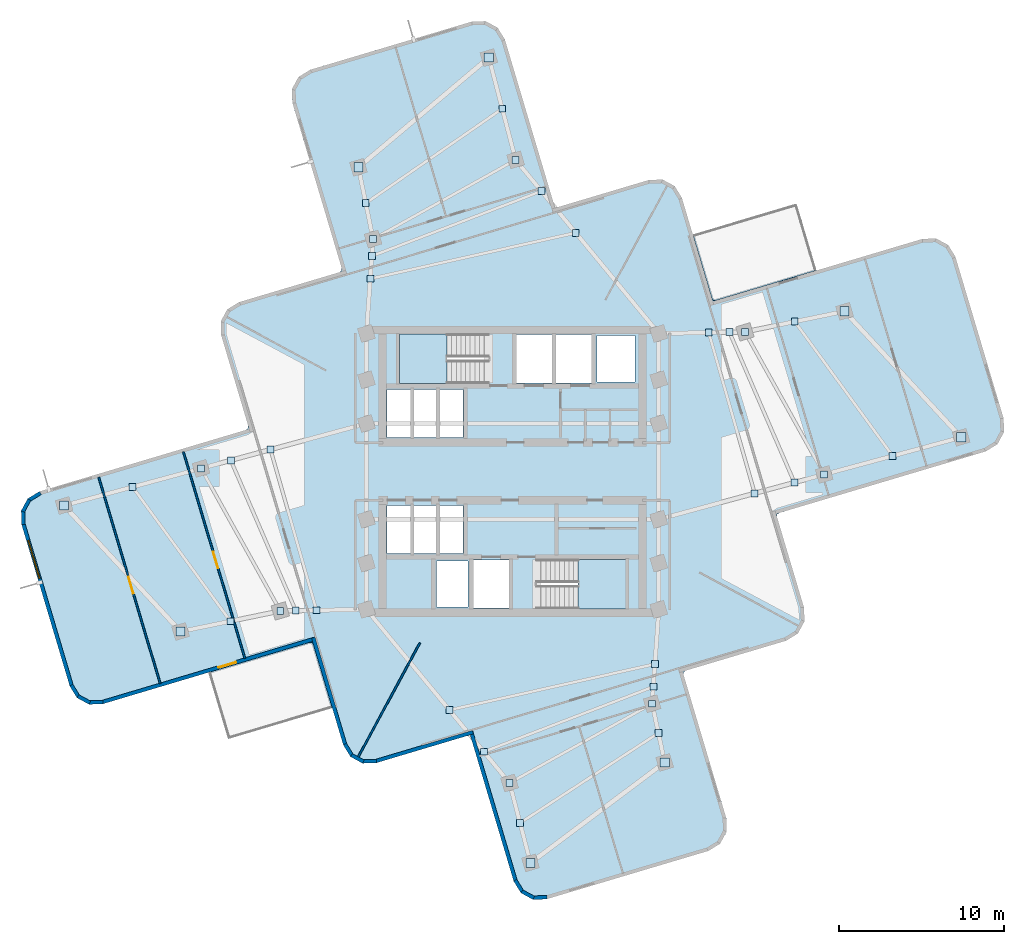
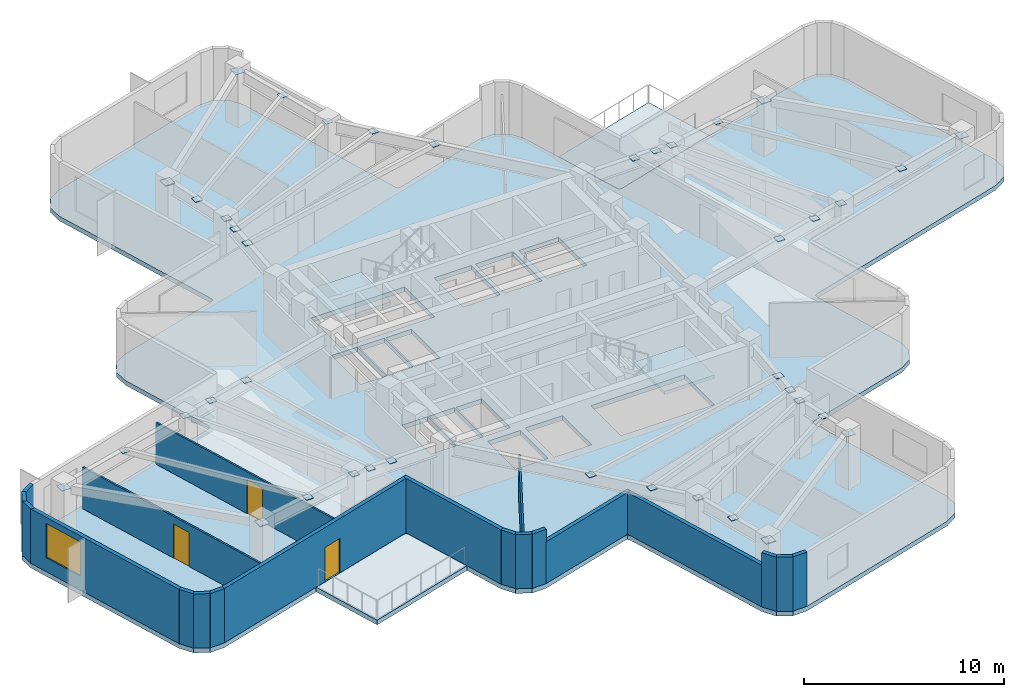
# One storey, part 2 of 8: 40 plates, 20 walls, 5 slabs, 3 doors, 1 window, 4 openings, 2 elements without a shape of their own.
"""IFC4 building model written with IfcOpenShell, lengths in metres."""

import ifcopenshell
import ifcopenshell.guid

model = None  # the IFC model being written
_history = None  # IfcOwnerHistory: only IFC2X3 demands one
_inside = {}  # id of a spatial element -> (the spatial element, [elements in it])
_under = {}  # id of a project, library or spatial element -> (it, [spatial elements below it])
_declared = {}  # id of a project -> (the project, [libraries it declares])
_typed = {}  # id of a type object -> (the type object, [elements of that type])
_made_of = {}  # id of a material, layer set ... -> (it, [elements and type objects made of it])


def new_model(schema):
    """Start an empty IFC model of exactly this schema.

    Asked for "IFC4X3", IfcOpenShell would pick the latest addendum, in which some entities
    have other attributes; the version numbers below select the first issue.
    IFC2X3 requires an IfcOwnerHistory on every rooted entity: one is made here for all.
    """
    global model, _history
    if schema == "IFC4X3":
        model = ifcopenshell.file(schema_version=(4, 3, 0, 0))
    else:
        model = ifcopenshell.file(schema=schema)
    _inside.clear()
    _under.clear()
    _declared.clear()
    _typed.clear()
    _made_of.clear()
    _history = None
    if model.schema == "IFC2X3":
        org = make("IfcOrganization", Name="unknown")
        user = make(
            "IfcPersonAndOrganization",
            ThePerson=make("IfcPerson", FamilyName="unknown"),
            TheOrganization=org,
        )
        app = make(
            "IfcApplication",
            ApplicationDeveloper=org,
            Version="unknown",
            ApplicationFullName="unknown",
            ApplicationIdentifier="unknown",
        )
        _history = make(
            "IfcOwnerHistory",
            OwningUser=user,
            OwningApplication=app,
            ChangeAction="ADDED",
            CreationDate=0,
        )
    return model


def make(cls, **values):
    """One entity of the class cls with the attributes given. An attribute that is None is left unset."""
    return model.create_entity(
        cls, **{name: value for name, value in values.items() if value is not None}
    )


def rooted(cls, **values):
    """An entity with a GlobalId (a new one), such as an element, a storey or a relation."""
    return make(cls, GlobalId=ifcopenshell.guid.new(), OwnerHistory=_history, **values)


def si_unit(unit_type, name, prefix=None):
    """IfcSIUnit, for example si_unit("LENGTHUNIT", "METRE", prefix="MILLI")."""
    return make("IfcSIUnit", UnitType=unit_type, Prefix=prefix, Name=name)


def assignment(units):
    """IfcUnitAssignment: the units of a project."""
    return None if units is None else make("IfcUnitAssignment", Units=units)


def point(xyz):
    """IfcCartesianPoint."""
    return None if xyz is None else make("IfcCartesianPoint", Coordinates=xyz)


def direction(xyz):
    """IfcDirection."""
    return None if xyz is None else make("IfcDirection", DirectionRatios=xyz)


def frame(location, z_axis=None, x_axis=None):
    """IfcAxis2Placement3D, a coordinate frame: its origin and axes. An axis left out is left unset."""
    return make(
        "IfcAxis2Placement3D",
        Location=point(location),
        Axis=direction(z_axis),
        RefDirection=direction(x_axis),
    )


def frame_2d(location, x_axis=None):
    """IfcAxis2Placement2D, a coordinate frame in the plane: its origin and x axis."""
    return make(
        "IfcAxis2Placement2D", Location=point(location), RefDirection=direction(x_axis)
    )


def origin():
    """The frame at (0, 0, 0) with its axes left unset."""
    return frame((0.0, 0.0, 0.0))


def origin_2d():
    """The frame at (0, 0) in the plane with its x axis left unset."""
    return frame_2d((0.0, 0.0))


def place(relative_to, where):
    """IfcLocalPlacement: puts the frame where relative to a parent placement (None: the world)."""
    return make(
        "IfcLocalPlacement", PlacementRelTo=relative_to, RelativePlacement=where
    )


def context(
    kind, dimensions, precision=None, world=None, true_north=None, identifier=None
):
    """IfcGeometricRepresentationContext, for example the 3D "Model" context."""
    return make(
        "IfcGeometricRepresentationContext",
        ContextIdentifier=identifier,
        ContextType=kind,
        CoordinateSpaceDimension=dimensions,
        Precision=precision,
        WorldCoordinateSystem=world,
        TrueNorth=true_north,
    )


def subcontext(parent, identifier, kind, view, scale=None):
    """IfcGeometricRepresentationSubContext, for example "Body" below "Model"."""
    return make(
        "IfcGeometricRepresentationSubContext",
        ContextIdentifier=identifier,
        ContextType=kind,
        ParentContext=parent,
        TargetScale=scale,
        TargetView=view,
    )


def project(units=None, contexts=None):
    """IfcProject with its units and contexts."""
    return rooted(
        "IfcProject",
        Name="project",
        RepresentationContexts=contexts,
        UnitsInContext=assignment(units),
    )


def spatial(cls, under=None, at=None, **own):
    """A site, building, storey or space (cls), placed at a placement, below another one or the project."""
    s = rooted(cls, ObjectPlacement=at, **own)
    if under is not None:
        _under.setdefault(under.id(), (under, []))[1].append(s)
    return s


def polyline(points):
    """IfcPolyline through the points."""
    return make("IfcPolyline", Points=[point(p) for p in points])


def profile(cls, at=None, kind="AREA", **sizes):
    """A parametric profile (cls). Its sizes go by their IFC names, for example OverallWidth=200.0."""
    return make(cls, ProfileType=kind, Position=at, **sizes)


def rectangle(**sizes):
    """IfcRectangleProfileDef."""
    return profile("IfcRectangleProfileDef", **sizes)


def outline(outer, holes=None, kind="AREA"):
    """IfcArbitraryClosedProfileDef: a profile drawn as a closed curve; with holes, ...WithVoids."""
    if holes is None:
        return make("IfcArbitraryClosedProfileDef", ProfileType=kind, OuterCurve=outer)
    return make(
        "IfcArbitraryProfileDefWithVoids",
        ProfileType=kind,
        OuterCurve=outer,
        InnerCurves=holes,
    )


def extrude(swept, where, along, depth):
    """IfcExtrudedAreaSolid: the profile swept, set in the frame where, extruded along a direction by depth."""
    return make(
        "IfcExtrudedAreaSolid",
        SweptArea=swept,
        Position=where,
        ExtrudedDirection=direction(along),
        Depth=depth,
    )


def shape(context_of_items, identifier, shape_type, items):
    """IfcShapeRepresentation: the items that make up one representation, for example the "Body"."""
    return make(
        "IfcShapeRepresentation",
        ContextOfItems=context_of_items,
        RepresentationIdentifier=identifier,
        RepresentationType=shape_type,
        Items=items,
    )


def material(Name=None, Category=None):
    """IfcMaterial."""
    return make("IfcMaterial", Name=Name, Category=Category)


def layer(
    of_material, thickness, ventilated=None, Name=None, Category=None, Priority=None
):
    """IfcMaterialLayer: one layer of a wall or slab, of a material (None: an air gap)."""
    return make(
        "IfcMaterialLayer",
        Material=of_material,
        LayerThickness=thickness,
        IsVentilated=ventilated,
        Name=Name,
        Category=Category,
        Priority=Priority,
    )


def layer_set(layers, Name=None):
    """IfcMaterialLayerSet."""
    return make("IfcMaterialLayerSet", MaterialLayers=layers, LayerSetName=Name)


def made_of(thing, what):
    """Note that an element or type object is made of a material, layer set ...; save() writes the relation."""
    if what is not None:
        _made_of.setdefault(what.id(), (what, []))[1].append(thing)
    return thing


def type_object(cls, material=None, **own):
    """A type object (cls), such as IfcWallType, which elements share."""
    return made_of(rooted(cls, **own), material)


def element(
    cls,
    number,
    at=None,
    inside=None,
    cuts=None,
    type_object=None,
    material=None,
    context=None,
    identifier="Body",
    shape_type=None,
    held_by="IfcProductDefinitionShape",
    body=None,
    shapes=None,
    **own,
):
    """One element of the class cls, such as IfcWall. Its Tag is "e" and its number.

    at: its placement. inside: the storey or other place that contains it. cuts: it is an
    opening in that element (IfcRelVoidsElement). A single representation is given by context,
    identifier, shape_type and body (its items); several are given by shapes. held_by: the class
    of the entity that holds the representations. save() writes the other relations.
    """
    e = rooted(cls, Tag="e%d" % number, ObjectPlacement=at, **own)
    if body is not None:
        shapes = [shape(context, identifier, shape_type, body)]
    if shapes is not None:
        e.Representation = make(held_by, Representations=shapes)
    if inside is not None:
        _inside.setdefault(inside.id(), (inside, []))[1].append(e)
    if cuts is not None:
        rooted(
            "IfcRelVoidsElement", RelatingBuildingElement=cuts, RelatedOpeningElement=e
        )
    if type_object is not None:
        _typed.setdefault(type_object.id(), (type_object, []))[1].append(e)
    return made_of(e, material)


def fill(opening, filler):
    """IfcRelFillsElement: the door or window that sits in an opening."""
    return rooted(
        "IfcRelFillsElement",
        RelatingOpeningElement=opening,
        RelatedBuildingElement=filler,
    )


def aggregate(whole, parts):
    """IfcRelAggregates: a whole, such as a stair, and the parts it consists of."""
    return rooted("IfcRelAggregates", RelatingObject=whole, RelatedObjects=parts)


def save(model, path):
    """Write the relations noted so far, then the file.

    IfcRelAggregates (storeys below a building ...), IfcRelContainedInSpatialStructure (elements
    in a storey), IfcRelDefinesByType, IfcRelAssociatesMaterial and IfcRelDeclares: one each for
    every whole, place, type object, material and project.
    """
    for whole, parts in _under.values():
        aggregate(whole, parts)
    for where, things in _inside.values():
        rooted(
            "IfcRelContainedInSpatialStructure",
            RelatedElements=things,
            RelatingStructure=where,
        )
    for kind, things in _typed.values():
        rooted("IfcRelDefinesByType", RelatedObjects=things, RelatingType=kind)
    for what, things in _made_of.values():
        rooted("IfcRelAssociatesMaterial", RelatedObjects=things, RelatingMaterial=what)
    for by, libraries in _declared.values():
        rooted("IfcRelDeclares", RelatingContext=by, RelatedDefinitions=libraries)
    model.write(path)


model = new_model("IFC4")

# Units and contexts
model_context = context("Model", 3, precision=1e-05, world=origin(), true_north=direction((0.0, 1.0)))
body_context = subcontext(model_context, "Body", "Model", "MODEL_VIEW")
ifc_project = project(units=[si_unit("LENGTHUNIT", "METRE"), si_unit("AREAUNIT", "SQUARE_METRE"), si_unit("VOLUMEUNIT", "CUBIC_METRE"), si_unit("PLANEANGLEUNIT", "RADIAN"), si_unit("MASSUNIT", "GRAM", prefix="KILO")], contexts=[model_context])

# Site, building, storey
site_placement = place(None, origin())
site = spatial("IfcSite", under=ifc_project, at=site_placement, CompositionType="ELEMENT")
building_placement = place(site_placement, origin())
building = spatial("IfcBuilding", under=site, at=building_placement, Name="Solmarez Civic Tower", CompositionType="ELEMENT")
storey_placement = place(building_placement, frame((0.0, 0.0, 145.080078125)))
storey = spatial("IfcBuildingStorey", under=building, at=storey_placement, Name="L38", CompositionType="ELEMENT", Elevation=145.080078125)

# Plates
ifc_material_1 = material(Name="Steel S355", Category="steel")
ifc_layer_1 = layer(ifc_material_1, 0.02392578125)
ifc_layer_set_1 = layer_set([ifc_layer_1], Name="Steel S355")
plate_type_1 = type_object("IfcPlateType", Name="PLT-CAP-380", PredefinedType="USERDEFINED", material=ifc_layer_set_1)
for number, where, z_axis, x_axis, name in (
    (1, (18.860107421875, -0.18310546875, 3.157958984375), (0.0, 0.0, 1.0), (1.0, 0.0, 0.0), "Steel Member End Cap Plate CAP-BM-L38-EA-T1-0"),
    (2, (14.06396484375, 8.445068359375, 3.157958984375), (0.0, 0.0, 1.0), (1.0, 0.0, 0.0), "Steel Member End Cap Plate CAP-BM-L38-EA-T1-1"),
    (3, (23.006103515625, 0.94091796875, 3.157958984375), (0.0, 0.0, 1.0), (1.0, 0.0, 0.0), "Steel Member End Cap Plate CAP-JS-L38-EA-M2-0"),
    (4, (17.0810546875, 9.069091796875, 3.157958984375), (0.0, 0.0, 1.0), (1.0, 0.0, 0.0), "Steel Member End Cap Plate CAP-JS-L38-EA-M2-1"),
    (5, (14.656005859375, -1.323974609375, 3.157958984375), (0.0, 0.0, 1.0), (1.0, 0.0, 0.0), "Steel Member End Cap Plate CAP-JS-L38-EA-M11-0"),
    (6, (11.8740234375, 8.405029296875, 3.157958984375), (0.0, 0.0, 1.0), (1.0, 0.0, 0.0), "Steel Member End Cap Plate CAP-JS-L38-EA-M11-1"),
    (7, (17.05810546875, -0.672119140625, 3.157958984375), (0.0, 0.0, 1.0), (1.0, 0.0, 0.0), "Steel Member End Cap Plate CAP-JS-L38-EA-M12-0"),
    (8, (13.125, 8.427978515625, 3.157958984375), (0.0, 0.0, 1.0), (1.0, 0.0, 0.0), "Steel Member End Cap Plate CAP-JS-L38-EA-M12-1"),
    (9, (0.18310546875, 18.860107421875, 3.157958984375), (0.0, 0.0, 1.0), (1.0, 0.0, 0.0), "Steel Member End Cap Plate CAP-BM-L38-NA-T1-0"),
    (10, (-8.445068359375, 14.06396484375, 3.157958984375), (0.0, 0.0, 1.0), (1.0, 0.0, 0.0), "Steel Member End Cap Plate CAP-BM-L38-NA-T1-1"),
    (11, (-0.626953125, 21.9560546875, 3.157958984375), (0.0, 0.0, 1.0), (1.0, 0.0, 0.0), "Steel Member End Cap Plate CAP-JS-L38-NA-M2-0"),
    (12, (-8.888916015625, 16.236083984375, 3.157958984375), (0.0, 0.0, 1.0), (1.0, 0.0, 0.0), "Steel Member End Cap Plate CAP-JS-L38-NA-M2-1"),
    (13, (3.822998046875, 14.446044921875, 3.157958984375), (0.0, 0.0, 1.0), (1.0, 0.0, 0.0), "Steel Member End Cap Plate CAP-JS-L38-NA-M11-0"),
    (14, (-8.614990234375, 11.6640625, 3.157958984375), (0.0, 0.0, 1.0), (1.0, 0.0, 0.0), "Steel Member End Cap Plate CAP-JS-L38-NA-M11-1"),
    (15, (1.742919921875, 16.968017578125, 3.157958984375), (0.0, 0.0, 1.0), (1.0, 0.0, 0.0), "Steel Member End Cap Plate CAP-JS-L38-NA-M12-0"),
    (16, (-8.51806640625, 13.034912109375, 3.157958984375), (0.0, 0.0, 1.0), (1.0, 0.0, 0.0), "Steel Member End Cap Plate CAP-JS-L38-NA-M12-1"),
    (17, (-18.860107421875, 0.18310546875, 3.157958984375), (0.0, 0.0, 1.0), (1.0, 0.0, 0.0), "Steel Member End Cap Plate CAP-BM-L38-WA-T1-0"),
    (18, (-14.06396484375, -8.445068359375, 3.157958984375), (0.0, 0.0, 1.0), (1.0, 0.0, 0.0), "Steel Member End Cap Plate CAP-BM-L38-WA-T1-1"),
    (19, (-23.006103515625, -0.94091796875, 3.157958984375), (0.0, 0.0, 1.0), (1.0, 0.0, 0.0), "Steel Member End Cap Plate CAP-JS-L38-WA-M2-0"),
    (20, (-17.0810546875, -9.069091796875, 3.157958984375), (0.0, 0.0, 1.0), (1.0, 0.0, 0.0), "Steel Member End Cap Plate CAP-JS-L38-WA-M2-1"),
    (21, (-14.656005859375, 1.323974609375, 3.157958984375), (0.0, 0.0, 1.0), (1.0, 0.0, 0.0), "Steel Member End Cap Plate CAP-JS-L38-WA-M11-0"),
    (22, (-11.8740234375, -8.405029296875, 3.157958984375), (0.0, 0.0, 1.0), (1.0, 0.0, 0.0), "Steel Member End Cap Plate CAP-JS-L38-WA-M11-1"),
    (23, (-17.05810546875, 0.672119140625, 3.157958984375), (0.0, 0.0, 1.0), (1.0, 0.0, 0.0), "Steel Member End Cap Plate CAP-JS-L38-WA-M12-0"),
    (24, (-13.125, -8.427978515625, 3.157958984375), (0.0, 0.0, 1.0), (1.0, 0.0, 0.0), "Steel Member End Cap Plate CAP-JS-L38-WA-M12-1"),
    (25, (-0.18310546875, -18.860107421875, 3.157958984375), (0.0, 0.0, 1.0), (1.0, 0.0, 0.0), "Steel Member End Cap Plate CAP-BM-L38-SA-T1-0"),
    (26, (8.445068359375, -14.06396484375, 3.157958984375), (0.0, 0.0, 1.0), (1.0, 0.0, 0.0), "Steel Member End Cap Plate CAP-BM-L38-SA-T1-1"),
    (27, (0.449951171875, -21.279052734375, 3.157958984375), (0.0, 0.0, 1.0), (1.0, 0.0, 0.0), "Steel Member End Cap Plate CAP-JS-L38-SA-M2-0"),
    (28, (8.825927734375, -15.839111328125, 3.157958984375), (0.0, 0.0, 1.0), (1.0, 0.0, 0.0), "Steel Member End Cap Plate CAP-JS-L38-SA-M2-1"),
    (29, (-3.822998046875, -14.446044921875, 3.157958984375), (0.0, 0.0, 1.0), (1.0, 0.0, 0.0), "Steel Member End Cap Plate CAP-JS-L38-SA-M11-0"),
    (30, (8.614990234375, -11.6640625, 3.157958984375), (0.0, 0.0, 1.0), (1.0, 0.0, 0.0), "Steel Member End Cap Plate CAP-JS-L38-SA-M11-1"),
    (31, (-1.742919921875, -16.968017578125, 3.157958984375), (0.0, 0.0, 1.0), (1.0, 0.0, 0.0), "Steel Member End Cap Plate CAP-JS-L38-SA-M12-0"),
    (32, (8.51806640625, -13.034912109375, 3.157958984375), (0.0, 0.0, 1.0), (1.0, 0.0, 0.0), "Steel Member End Cap Plate CAP-JS-L38-SA-M12-1"),
):
    element("IfcPlate", number, at=place(storey_placement, frame(where, z_axis=z_axis, x_axis=x_axis)), inside=storey, type_object=plate_type_1, Name=name, ObjectType="CAP_PLATE", PredefinedType="USERDEFINED", context=body_context, shape_type="SweptSolid", body=[
        extrude(rectangle(XDim=0.419921875, YDim=0.419921875, at=origin_2d()), origin(), (0.0, 0.0, 1.0), 0.02392578125),
    ])
ifc_layer_2 = layer(ifc_material_1, 0.028076171875)
ifc_layer_set_2 = layer_set([ifc_layer_2], Name="Steel S355")
plate_type_2 = type_object("IfcPlateType", Name="PLT-CAP-540", PredefinedType="USERDEFINED", material=ifc_layer_set_2)
for number, where, z_axis, x_axis, name in (
    (33, (27.153076171875, 2.06396484375, 3.0556640625), (0.0, 0.0, 1.0), (1.0, 0.0, 0.0), "Steel Member End Cap Plate CAP-BM-L38-EA-T2-0"),
    (34, (20.097900390625, 9.69189453125, 3.0556640625), (0.0, 0.0, 1.0), (1.0, 0.0, 0.0), "Steel Member End Cap Plate CAP-BM-L38-EA-T2-1"),
    (35, (-1.43701171875, 25.052001953125, 3.0556640625), (0.0, 0.0, 1.0), (1.0, 0.0, 0.0), "Steel Member End Cap Plate CAP-BM-L38-NA-T2-0"),
    (36, (-9.3330078125, 18.408935546875, 3.0556640625), (0.0, 0.0, 1.0), (1.0, 0.0, 0.0), "Steel Member End Cap Plate CAP-BM-L38-NA-T2-1"),
    (37, (-27.153076171875, -2.06396484375, 3.0556640625), (0.0, 0.0, 1.0), (1.0, 0.0, 0.0), "Steel Member End Cap Plate CAP-BM-L38-WA-T2-0"),
    (38, (-20.097900390625, -9.69189453125, 3.0556640625), (0.0, 0.0, 1.0), (1.0, 0.0, 0.0), "Steel Member End Cap Plate CAP-BM-L38-WA-T2-1"),
    (39, (1.0830078125, -23.697021484375, 3.0556640625), (0.0, 0.0, 1.0), (1.0, 0.0, 0.0), "Steel Member End Cap Plate CAP-BM-L38-SA-T2-0"),
    (40, (9.2080078125, -17.614990234375, 3.0556640625), (0.0, 0.0, 1.0), (1.0, 0.0, 0.0), "Steel Member End Cap Plate CAP-BM-L38-SA-T2-1"),
):
    element("IfcPlate", number, at=place(storey_placement, frame(where, z_axis=z_axis, x_axis=x_axis)), inside=storey, type_object=plate_type_2, Name=name, ObjectType="CAP_PLATE", PredefinedType="USERDEFINED", context=body_context, shape_type="SweptSolid", body=[
        extrude(rectangle(XDim=0.56005859375, YDim=0.56005859375, at=origin_2d()), origin(), (0.0, 0.0, 1.0), 0.028076171875),
    ])

# Stair, slab
ifc_material_2 = material(Name="Concrete C50/60", Category="concrete")
stair_type = type_object("IfcStairType", Name="STAIR-DOGLEG-140W-20R-1800", PredefinedType="HALF_TURN_STAIR", material=ifc_material_2)
stair_1_placement = place(storey_placement, origin())
stair_1 = element("IfcStair", 41, at=stair_1_placement, inside=storey, type_object=stair_type, Name="L38 North Core Protected Exit Stair ST-1", PredefinedType="HALF_TURN_STAIR")
ifc_layer_3 = layer(ifc_material_2, 0.199951171875)
ifc_layer_set_3 = layer_set([ifc_layer_3], Name="Concrete C50/60")
slab_type_1 = type_object("IfcSlabType", Name="SLAB-LANDING-200", PredefinedType="LANDING", material=ifc_layer_set_3)
slab_1_placement = place(storey_placement, frame((0.0, 0.0, 1.599853515625)))
slab_1 = element("IfcSlab", 42, at=slab_1_placement, type_object=slab_type_1, Name="ST-1 landing 1", PredefinedType="LANDING", context=body_context, shape_type="SweptSolid", body=[
    extrude(outline(polyline([(-3.969970703125, 8.320068359375), (-6.85009765625, 8.320068359375), (-6.85009765625, 5.320068359375), (-3.969970703125, 5.320068359375), (-3.969970703125, 8.320068359375)])), origin(), (0.0, 0.0, 1.0), 0.199951171875),
])
aggregate(stair_1, [slab_1])

stair_2_placement = place(storey_placement, origin())
stair_2 = element("IfcStair", 43, at=stair_2_placement, inside=storey, type_object=stair_type, Name="L38 South Core Protected Exit Stair ST-2", PredefinedType="HALF_TURN_STAIR")
slab_2_placement = place(storey_placement, frame((0.0, 0.0, 1.599853515625)))
slab_2 = element("IfcSlab", 44, at=slab_2_placement, type_object=slab_type_1, Name="ST-2 landing 1", PredefinedType="LANDING", context=body_context, shape_type="SweptSolid", body=[
    extrude(outline(polyline([(3.969970703125, -8.320068359375), (6.85009765625, -8.320068359375), (6.85009765625, -5.320068359375), (3.969970703125, -5.320068359375), (3.969970703125, -8.320068359375)])), origin(), (0.0, 0.0, 1.0), 0.199951171875),
])
aggregate(stair_2, [slab_2])

# Slabs
ifc_layer_4 = layer(ifc_material_2, 0.280029296875)
ifc_layer_set_4 = layer_set([ifc_layer_4], Name="Concrete C50/60")
slab_type_2 = type_object("IfcSlabType", Name="SLAB-TOWER-280", PredefinedType="FLOOR", material=ifc_layer_set_4)
slab_3_placement = place(storey_placement, frame((0.0, 0.0, -0.280029296875)))
element("IfcSlab", 45, at=slab_3_placement, inside=storey, type_object=slab_type_2, Name="L38 Structural Slab", PredefinedType="FLOOR", context=body_context, shape_type="SweptSolid", body=[
    extrude(outline(polyline([(-12.054931640625, -10.491943359375), (-10.243896484375, -16.56689453125), (-9.81005859375, -17.27197265625), (-9.0810546875, -17.666015625), (-8.25390625, -17.64306640625), (-2.77294921875, -16.009033203125), (-2.60107421875, -16.0048828125), (-2.510009765625, -16.15087890625), (0.072021484375, -24.81396484375), (0.506103515625, -25.51904296875), (1.23388671875, -25.9130859375), (2.06201171875, -25.889892578125), (11.85595703125, -22.969970703125), (12.56201171875, -22.535888671875), (12.9560546875, -21.80810546875), (12.93310546875, -20.97998046875), (10.35009765625, -12.31689453125), (10.344970703125, -12.14501953125), (10.491943359375, -12.054931640625), (16.56689453125, -10.243896484375), (17.27197265625, -9.81005859375), (17.666015625, -9.0810546875), (17.64306640625, -8.25390625), (16.009033203125, -2.77294921875), (16.0048828125, -2.60107421875), (16.15087890625, -2.510009765625), (28.64697265625, 1.215087890625), (29.35205078125, 1.64892578125), (29.74609375, 2.376953125), (29.722900390625, 3.205078125), (26.802978515625, 12.9990234375), (26.368896484375, 13.705078125), (25.64111328125, 14.09912109375), (24.81298828125, 14.074951171875), (12.31689453125, 10.35009765625), (12.14501953125, 10.344970703125), (12.054931640625, 10.491943359375), (10.243896484375, 16.56689453125), (9.81005859375, 17.27197265625), (9.0810546875, 17.666015625), (8.25390625, 17.64306640625), (2.77294921875, 16.009033203125), (2.60107421875, 16.0048828125), (2.510009765625, 16.15087890625), (-0.471923828125, 26.155029296875), (-0.906005859375, 26.861083984375), (-1.634033203125, 27.2548828125), (-2.4619140625, 27.23095703125), (-12.256103515625, 24.31201171875), (-12.9619140625, 23.8779296875), (-13.35595703125, 23.14892578125), (-13.3330078125, 22.321044921875), (-10.35009765625, 12.31689453125), (-10.344970703125, 12.14501953125), (-10.491943359375, 12.054931640625), (-16.56689453125, 10.243896484375), (-17.27197265625, 9.81005859375), (-17.666015625, 9.0810546875), (-17.64306640625, 8.25390625), (-16.009033203125, 2.77294921875), (-16.0048828125, 2.60107421875), (-16.15087890625, 2.510009765625), (-28.64697265625, -1.215087890625), (-29.35205078125, -1.64892578125), (-29.74609375, -2.376953125), (-29.722900390625, -3.205078125), (-26.802978515625, -12.9990234375), (-26.368896484375, -13.705078125), (-25.64111328125, -14.09912109375), (-24.81298828125, -14.074951171875), (-12.31689453125, -10.35009765625), (-12.14501953125, -10.344970703125), (-12.054931640625, -10.491943359375)]), holes=[polyline([(-1.449951171875, 8.320068359375), (-6.85009765625, 8.320068359375), (-6.85009765625, 5.320068359375), (-1.449951171875, 5.320068359375), (-1.449951171875, 8.320068359375)]), polyline([(1.449951171875, -8.320068359375), (6.85009765625, -8.320068359375), (6.85009765625, -5.320068359375), (1.449951171875, -5.320068359375), (1.449951171875, -8.320068359375)]), polyline([(0.219970703125, 5.360107421875), (2.3798828125, 5.360107421875), (2.3798828125, 8.280029296875), (0.219970703125, 8.280029296875), (0.219970703125, 5.360107421875)]), polyline([(2.6201171875, 5.360107421875), (4.780029296875, 5.360107421875), (4.780029296875, 8.280029296875), (2.6201171875, 8.280029296875), (2.6201171875, 5.360107421875)]), polyline([(-2.3798828125, -8.280029296875), (-0.219970703125, -8.280029296875), (-0.219970703125, -5.360107421875), (-2.3798828125, -5.360107421875), (-2.3798828125, -8.280029296875)]), polyline([(-7.60009765625, -4.9599609375), (-6.1201171875, -4.9599609375), (-6.1201171875, -2.06005859375), (-7.60009765625, -2.06005859375), (-7.60009765625, -4.9599609375)]), polyline([(-6.0400390625, -4.9599609375), (-4.56005859375, -4.9599609375), (-4.56005859375, -2.06005859375), (-6.0400390625, -2.06005859375), (-6.0400390625, -4.9599609375)]), polyline([(-4.47998046875, -4.9599609375), (-3.0, -4.9599609375), (-3.0, -2.06005859375), (-4.47998046875, -2.06005859375), (-4.47998046875, -4.9599609375)]), polyline([(-7.60009765625, 2.06005859375), (-6.1201171875, 2.06005859375), (-6.1201171875, 4.9599609375), (-7.60009765625, 4.9599609375), (-7.60009765625, 2.06005859375)]), polyline([(-6.0400390625, 2.06005859375), (-4.56005859375, 2.06005859375), (-4.56005859375, 4.9599609375), (-6.0400390625, 4.9599609375), (-6.0400390625, 2.06005859375)]), polyline([(-4.47998046875, 2.06005859375), (-3.0, 2.06005859375), (-3.0, 4.9599609375), (-4.47998046875, 4.9599609375), (-4.47998046875, 2.06005859375)]), polyline([(5.10009765625, 5.419921875), (7.39990234375, 5.419921875), (7.39990234375, 8.219970703125), (5.10009765625, 8.219970703125), (5.10009765625, 5.419921875)]), polyline([(-4.60009765625, -8.219970703125), (-2.699951171875, -8.219970703125), (-2.699951171875, -5.419921875), (-4.60009765625, -5.419921875), (-4.60009765625, -8.219970703125)])]), origin(), (0.0, 0.0, 1.0), 0.280029296875),
])
slab_4_placement = place(storey_placement, frame((0.0, 0.0, -0.280029296875)))
element("IfcSlab", 46, at=slab_4_placement, inside=storey, type_object=slab_type_2, Name="L38 Re-entrant Corner Winter-Garden Balcony NE", PredefinedType="FLOOR", context=body_context, shape_type="SweptSolid", body=[
    extrude(outline(polyline([(10.9169921875, 14.31591796875), (12.056884765625, 10.492919921875), (12.14599609375, 10.346923828125), (12.31689453125, 10.35205078125), (18.39208984375, 12.1630859375), (17.19189453125, 16.18603515625), (10.9169921875, 14.31591796875)])), origin(), (0.0, 0.0, 1.0), 0.280029296875),
])
slab_5_placement = place(storey_placement, frame((0.0, 0.0, -0.280029296875)))
element("IfcSlab", 47, at=slab_5_placement, inside=storey, type_object=slab_type_2, Name="L38 Re-entrant Corner Winter-Garden Balcony SW", PredefinedType="FLOOR", context=body_context, shape_type="SweptSolid", body=[
    extrude(outline(polyline([(-10.9169921875, -14.31591796875), (-12.056884765625, -10.492919921875), (-12.14599609375, -10.346923828125), (-12.31689453125, -10.35205078125), (-18.39208984375, -12.1630859375), (-17.19189453125, -16.18603515625), (-10.9169921875, -14.31591796875)])), origin(), (0.0, 0.0, 1.0), 0.280029296875),
])

# Wall, opening, door
ifc_material_3 = material(Name="Precast concrete C40/50", Category="concrete")
ifc_layer_5 = layer(ifc_material_3, 0.219970703125)
ifc_layer_set_5 = layer_set([ifc_layer_5], Name="Precast concrete C40/50")
wall_type_1 = type_object("IfcWallType", Name="WALL-EXT-220", PredefinedType="SOLIDWALL", material=ifc_layer_set_5)
wall_1_placement = place(storey_placement, frame((-11.95703125, -10.12890625, 0.0), z_axis=(0.0, 0.0, 1.0), x_axis=(-0.958343962332, -0.285616613419, 0.0)))
wall_1 = element("IfcWall", 48, at=wall_1_placement, inside=storey, type_object=wall_type_1, Name="L38 Exterior Precast Wall 2", PredefinedType="SOLIDWALL", context=body_context, shape_type="SweptSolid", body=[
    extrude(rectangle(XDim=13.45849609375, YDim=0.219970703125, at=frame_2d((6.729248046875, 0.0))), origin(), (0.0, 0.0, 1.0), 3.31982421875),
])
opening_1_placement = place(wall_1_placement, frame((5.0, 0.0, 0.0)))
opening_1 = element("IfcOpeningElement", 49, at=opening_1_placement, cuts=wall_1, Name="Opening D-06", PredefinedType="OPENING", context=body_context, shape_type="SweptSolid", body=[
    extrude(rectangle(XDim=1.10009765625, YDim=2.10009765625, at=frame_2d((0.550048828125, 1.050048828125))), frame((0.0, 0.119873046875, 0.0), z_axis=(0.0, -1.0, 0.0), x_axis=(1.0, 0.0, 0.0)), (0.0, 0.0, 1.0), 0.239990234375),
])
ifc_material_4 = material(Name="Bronze Anodised Aluminium Glazed Terrace Door", Category="aluminium")
door_type_1 = type_object("IfcDoorType", Name="DOOR-TERR-1100", OperationType="NOTDEFINED", PredefinedType="DOOR", material=ifc_material_4)
door_1_placement = place(opening_1_placement, origin())
door_1 = element("IfcDoor", 50, at=door_1_placement, inside=storey, type_object=door_type_1, Name="L38 Outdoor Terrace Glazed Door", OperationType="SINGLE_SWING_RIGHT", OverallHeight=2.10009765625, OverallWidth=1.10009765625, PredefinedType="DOOR", context=body_context, shape_type="SweptSolid", body=[
    extrude(rectangle(XDim=1.10009765625, YDim=2.10009765625, at=frame_2d((0.550048828125, 1.050048828125))), frame((0.0, 0.02490234375, 0.0), z_axis=(0.0, -1.0, 0.0), x_axis=(1.0, 0.0, 0.0)), (0.0, 0.0, 1.0), 0.050048828125),
])
fill(opening_1, door_1)

# Walls
wall_2_placement = place(storey_placement, frame((-24.805908203125, -13.965087890625, 0.0), z_axis=(0.0, 0.0, 1.0), x_axis=(-0.999587773882, -0.028710317069, 0.0)))
element("IfcWall", 51, at=wall_2_placement, inside=storey, type_object=wall_type_1, Name="L38 Exterior Precast Wall 3", PredefinedType="SOLIDWALL", context=body_context, shape_type="SweptSolid", body=[
    extrude(rectangle(XDim=0.833251953125, YDim=0.219970703125, at=frame_2d((0.41650390625, 0.0))), origin(), (0.0, 0.0, 1.0), 3.31982421875),
])
wall_3_placement = place(storey_placement, frame((-25.592041015625, -14.0, 0.0), z_axis=(0.0, 0.0, 1.0), x_axis=(-0.879608832869, 0.47569769932, 0.0)))
element("IfcWall", 52, at=wall_3_placement, inside=storey, type_object=wall_type_1, Name="L38 Exterior Precast Wall 4", PredefinedType="SOLIDWALL", context=body_context, shape_type="SweptSolid", body=[
    extrude(rectangle(XDim=0.819580078125, YDim=0.219970703125, at=frame_2d((0.40966796875, 0.0))), origin(), (0.0, 0.0, 1.0), 3.31982421875),
])
wall_4_placement = place(storey_placement, frame((-26.278076171875, -13.64306640625, 0.0), z_axis=(0.0, 0.0, 1.0), x_axis=(-0.524195456684, 0.851597982144, 0.0)))
element("IfcWall", 53, at=wall_4_placement, inside=storey, type_object=wall_type_1, Name="L38 Exterior Precast Wall 5", PredefinedType="SOLIDWALL", context=body_context, shape_type="SweptSolid", body=[
    extrude(rectangle(XDim=0.833740234375, YDim=0.219970703125, at=frame_2d((0.4169921875, 0.0))), origin(), (0.0, 0.0, 1.0), 3.31982421875),
])

# Wall, opening, window
wall_5_placement = place(storey_placement, frame((-26.695068359375, -12.97802734375, 0.0), z_axis=(0.0, 0.0, 1.0), x_axis=(-0.285720239165, 0.958313072504, 0.0)))
wall_5 = element("IfcWall", 54, at=wall_5_placement, inside=storey, type_object=wall_type_1, Name="L38 Exterior Precast Wall 6", PredefinedType="SOLIDWALL", context=body_context, shape_type="SweptSolid", body=[
    extrude(rectangle(XDim=10.240966796875, YDim=0.219970703125, at=frame_2d((5.12060546875, 0.0))), origin(), (0.0, 0.0, 1.0), 3.31982421875),
])
opening_2_placement = place(wall_5_placement, frame((6.7880859375, 0.0, 0.85009765625)))
opening_2 = element("IfcOpeningElement", 55, at=opening_2_placement, cuts=wall_5, Name="Opening W-02", PredefinedType="OPENING", context=body_context, shape_type="SweptSolid", body=[
    extrude(rectangle(XDim=2.39990234375, YDim=2.10009765625, at=frame_2d((1.199951171875, 1.050048828125))), frame((0.0, 0.119873046875, 0.0), z_axis=(0.0, -1.0, 0.0), x_axis=(1.0, 0.0, 0.0)), (0.0, 0.0, 1.0), 0.239990234375),
])
ifc_material_5 = material(Name="Solar Control Bronze-Tinted Insulating Glass", Category="glass")
window_type = type_object("IfcWindowType", Name="WIN-2400X2100", PartitioningType="SINGLE_PANEL", PredefinedType="WINDOW", material=ifc_material_5)
window_placement = place(opening_2_placement, origin())
window = element("IfcWindow", 56, at=window_placement, inside=storey, type_object=window_type, Name="L38 Exterior Facade Window 6", OverallHeight=2.10009765625, OverallWidth=2.39990234375, PartitioningType="SINGLE_PANEL", PredefinedType="WINDOW", context=body_context, shape_type="SweptSolid", body=[
    extrude(rectangle(XDim=2.39990234375, YDim=2.10009765625, at=frame_2d((1.199951171875, 1.050048828125))), frame((0.0, 0.030029296875, 0.0), z_axis=(0.0, -1.0, 0.0), x_axis=(1.0, 0.0, 0.0)), (0.0, 0.0, 1.0), 0.06005859375),
])
fill(opening_2, window)

# Walls
wall_6_placement = place(storey_placement, frame((-29.613037109375, -3.212890625, 0.0), z_axis=(0.0, 0.0, 1.0), x_axis=(-0.027507151941, 0.999621606705, 0.0)))
element("IfcWall", 57, at=wall_6_placement, inside=storey, type_object=wall_type_1, Name="L38 Exterior Precast Wall 7", PredefinedType="SOLIDWALL", context=body_context, shape_type="SweptSolid", body=[
    extrude(rectangle(XDim=0.834228515625, YDim=0.219970703125, at=frame_2d((0.4169921875, 0.0))), origin(), (0.0, 0.0, 1.0), 3.31982421875),
])
wall_7_placement = place(storey_placement, frame((-29.64697265625, -2.426025390625, 0.0), z_axis=(0.0, 0.0, 1.0), x_axis=(0.474775054815, 0.880107179453, 0.0)))
element("IfcWall", 58, at=wall_7_placement, inside=storey, type_object=wall_type_1, Name="L38 Exterior Precast Wall 8", PredefinedType="SOLIDWALL", context=body_context, shape_type="SweptSolid", body=[
    extrude(rectangle(XDim=0.819091796875, YDim=0.219970703125, at=frame_2d((0.40966796875, 0.0))), origin(), (0.0, 0.0, 1.0), 3.31982421875),
])
wall_8_placement = place(storey_placement, frame((-29.291015625, -1.739990234375, 0.0), z_axis=(0.0, 0.0, 1.0), x_axis=(0.851597982144, 0.524195456684, 0.0)))
element("IfcWall", 59, at=wall_8_placement, inside=storey, type_object=wall_type_1, Name="L38 Exterior Precast Wall 9", PredefinedType="SOLIDWALL", context=body_context, shape_type="SweptSolid", body=[
    extrude(rectangle(XDim=0.833740234375, YDim=0.219970703125, at=frame_2d((0.4169921875, 0.0))), origin(), (0.0, 0.0, 1.0), 3.31982421875),
])
wall_9_placement = place(storey_placement, frame((2.070068359375, -25.779052734375, 0.0), z_axis=(0.0, 0.0, 1.0), x_axis=(-0.999588738122, -0.028676726094, 0.0)))
element("IfcWall", 60, at=wall_9_placement, inside=storey, type_object=wall_type_1, Name="L38 Exterior Precast Wall 61", PredefinedType="SOLIDWALL", context=body_context, shape_type="SweptSolid", body=[
    extrude(rectangle(XDim=0.834228515625, YDim=0.219970703125, at=frame_2d((0.4169921875, 0.0))), origin(), (0.0, 0.0, 1.0), 3.31982421875),
])
wall_10_placement = place(storey_placement, frame((1.282958984375, -25.81396484375, 0.0), z_axis=(0.0, 0.0, 1.0), x_axis=(-0.879608832869, 0.47569769932, 0.0)))
element("IfcWall", 61, at=wall_10_placement, inside=storey, type_object=wall_type_1, Name="L38 Exterior Precast Wall 62", PredefinedType="SOLIDWALL", context=body_context, shape_type="SweptSolid", body=[
    extrude(rectangle(XDim=0.819580078125, YDim=0.219970703125, at=frame_2d((0.40966796875, 0.0))), origin(), (0.0, 0.0, 1.0), 3.31982421875),
])
wall_11_placement = place(storey_placement, frame((0.596923828125, -25.45703125, 0.0), z_axis=(0.0, 0.0, 1.0), x_axis=(-0.524195456684, 0.851597982144, 0.0)))
element("IfcWall", 62, at=wall_11_placement, inside=storey, type_object=wall_type_1, Name="L38 Exterior Precast Wall 63", PredefinedType="SOLIDWALL", context=body_context, shape_type="SweptSolid", body=[
    extrude(rectangle(XDim=0.833740234375, YDim=0.219970703125, at=frame_2d((0.4169921875, 0.0))), origin(), (0.0, 0.0, 1.0), 3.31982421875),
])
wall_12_placement = place(storey_placement, frame((0.179931640625, -24.7919921875, 0.0), z_axis=(0.0, 0.0, 1.0), x_axis=(-0.28557596478, 0.958356075966, 0.0)))
element("IfcWall", 63, at=wall_12_placement, inside=storey, type_object=wall_type_1, Name="L38 Exterior Precast Wall 64", PredefinedType="SOLIDWALL", context=body_context, shape_type="SweptSolid", body=[
    extrude(rectangle(XDim=9.457763671875, YDim=0.219970703125, at=frame_2d((4.72900390625, 0.0))), origin(), (0.0, 0.0, 1.0), 2.5498046875),
])
wall_13_placement = place(storey_placement, frame((-2.412109375, -15.787109375, 0.0), z_axis=(0.0, 0.0, 1.0), x_axis=(-0.958315274342, -0.285712854037, 0.0)))
element("IfcWall", 64, at=wall_13_placement, inside=storey, type_object=wall_type_1, Name="L38 Exterior Precast Wall 67", PredefinedType="SOLIDWALL", context=body_context, shape_type="SweptSolid", body=[
    extrude(rectangle(XDim=6.138671875, YDim=0.219970703125, at=frame_2d((3.0693359375, 0.0))), origin(), (0.0, 0.0, 1.0), 2.5498046875),
])
wall_14_placement = place(storey_placement, frame((-8.24609375, -17.532958984375, 0.0), z_axis=(0.0, 0.0, 1.0), x_axis=(-0.999588738122, -0.028676726094, 0.0)))
element("IfcWall", 65, at=wall_14_placement, inside=storey, type_object=wall_type_1, Name="L38 Exterior Precast Wall 68", PredefinedType="SOLIDWALL", context=body_context, shape_type="SweptSolid", body=[
    extrude(rectangle(XDim=0.834228515625, YDim=0.219970703125, at=frame_2d((0.4169921875, 0.0))), origin(), (0.0, 0.0, 1.0), 3.31982421875),
])
wall_15_placement = place(storey_placement, frame((-9.032958984375, -17.568115234375, 0.0), z_axis=(0.0, 0.0, 1.0), x_axis=(-0.879484183411, 0.475928115507, 0.0)))
element("IfcWall", 66, at=wall_15_placement, inside=storey, type_object=wall_type_1, Name="L38 Exterior Precast Wall 69", PredefinedType="SOLIDWALL", context=body_context, shape_type="SweptSolid", body=[
    extrude(rectangle(XDim=0.81982421875, YDim=0.219970703125, at=frame_2d((0.409912109375, 0.0))), origin(), (0.0, 0.0, 1.0), 3.31982421875),
])
wall_16_placement = place(storey_placement, frame((-9.718994140625, -17.2109375, 0.0), z_axis=(0.0, 0.0, 1.0), x_axis=(-0.524195456684, 0.851597982144, 0.0)))
element("IfcWall", 67, at=wall_16_placement, inside=storey, type_object=wall_type_1, Name="L38 Exterior Precast Wall 70", PredefinedType="SOLIDWALL", context=body_context, shape_type="SweptSolid", body=[
    extrude(rectangle(XDim=0.833740234375, YDim=0.219970703125, at=frame_2d((0.4169921875, 0.0))), origin(), (0.0, 0.0, 1.0), 3.31982421875),
])
wall_17_placement = place(storey_placement, frame((-10.135986328125, -16.5458984375, 0.0), z_axis=(0.0, 0.0, 1.0), x_axis=(-0.285607207592, 0.958346765514, 0.0)))
element("IfcWall", 68, at=wall_17_placement, inside=storey, type_object=wall_type_1, Name="L38 Exterior Precast Wall 71", PredefinedType="SOLIDWALL", context=body_context, shape_type="SweptSolid", body=[
    extrude(rectangle(XDim=6.75732421875, YDim=0.219970703125, at=frame_2d((3.378662109375, 0.0))), origin(), (0.0, 0.0, 1.0), 3.31982421875),
])
ifc_material_6 = material(Name="Gypsum Board Acoustic Steel-Stud Partition", Category="steel")
ifc_layer_6 = layer(ifc_material_6, 0.10009765625)
ifc_layer_set_6 = layer_set([ifc_layer_6], Name="Gypsum Board Acoustic Steel-Stud Partition")
wall_type_2 = type_object("IfcWallType", Name="WALL-INT-PART-100", PredefinedType="PARTITIONING", material=ifc_layer_set_6)
wall_18_placement = place(storey_placement, frame((-5.612060546875, -10.3798828125, 0.0), z_axis=(0.0, 0.0, 1.0), x_axis=(-0.475666815962, -0.879625534073, 0.0)))
element("IfcWall", 69, at=wall_18_placement, inside=storey, type_object=wall_type_2, Name="L38 Interior Partition PT-L38-QDIV-3", PredefinedType="PARTITIONING", context=body_context, shape_type="SweptSolid", body=[
    extrude(rectangle(XDim=7.875, YDim=0.10009765625, at=frame_2d((3.9375, 0.0))), origin(), (0.0, 0.0, 1.0), 2.5498046875),
])

# Wall, opening, door
wall_19_placement = place(storey_placement, frame((-16.202880859375, -11.31591796875, 0.0), z_axis=(0.0, 0.0, 1.0), x_axis=(-0.285679130118, 0.958325328171, 0.0)))
wall_19 = element("IfcWall", 70, at=wall_19_placement, inside=storey, type_object=wall_type_2, Name="L38 Interior Partition PT-L38-W-SC1", PredefinedType="PARTITIONING", context=body_context, shape_type="SweptSolid", body=[
    extrude(rectangle(XDim=13.0498046875, YDim=0.10009765625, at=frame_2d((6.52490234375, 0.0))), origin(), (0.0, 0.0, 1.0), 2.5498046875),
])
opening_3_placement = place(wall_19_placement, frame((5.68896484375, 0.0, 0.0)))
opening_3 = element("IfcOpeningElement", 71, at=opening_3_placement, cuts=wall_19, Name="Opening D-13", PredefinedType="OPENING", context=body_context, shape_type="SweptSolid", body=[
    extrude(rectangle(XDim=1.050048828125, YDim=2.080078125, at=frame_2d((0.52490234375, 1.0400390625))), frame((0.0, 0.06005859375, 0.0), z_axis=(0.0, -1.0, 0.0), x_axis=(1.0, 0.0, 0.0)), (0.0, 0.0, 1.0), 0.1201171875),
])
ifc_material_7 = material(Name="Timber Directorate Office Door", Category="wood")
door_type_2 = type_object("IfcDoorType", Name="DOOR-INT-1050", OperationType="NOTDEFINED", PredefinedType="DOOR", material=ifc_material_7)
door_2_placement = place(opening_3_placement, origin())
door_2 = element("IfcDoor", 72, at=door_2_placement, inside=storey, type_object=door_type_2, Name="L38 Legal Counselling Room West Door", OperationType="SINGLE_SWING_LEFT", OverallHeight=2.080078125, OverallWidth=1.050048828125, PredefinedType="DOOR", context=body_context, shape_type="SweptSolid", body=[
    extrude(rectangle(XDim=1.050048828125, YDim=2.080078125, at=frame_2d((0.52490234375, 1.0400390625))), frame((0.0, 0.02490234375, 0.0), z_axis=(0.0, -1.0, 0.0), x_axis=(1.0, 0.0, 0.0)), (0.0, 0.0, 1.0), 0.050048828125),
])
fill(opening_3, door_2)

wall_20_placement = place(storey_placement, frame((-21.330078125, -12.843994140625, 0.0), z_axis=(0.0, 0.0, 1.0), x_axis=(-0.285674008308, 0.958326854981, 0.0)))
wall_20 = element("IfcWall", 73, at=wall_20_placement, inside=storey, type_object=wall_type_2, Name="L38 Interior Partition PT-L38-W-SC2", PredefinedType="PARTITIONING", context=body_context, shape_type="SweptSolid", body=[
    extrude(rectangle(XDim=13.050048828125, YDim=0.10009765625, at=frame_2d((6.52490234375, 0.0))), origin(), (0.0, 0.0, 1.0), 2.5498046875),
])
opening_4_placement = place(wall_20_placement, frame((5.68994140625, 0.0, 0.0)))
opening_4 = element("IfcOpeningElement", 74, at=opening_4_placement, cuts=wall_20, Name="Opening D-13", PredefinedType="OPENING", context=body_context, shape_type="SweptSolid", body=[
    extrude(rectangle(XDim=1.050048828125, YDim=2.080078125, at=frame_2d((0.52490234375, 1.0400390625))), frame((0.0, 0.06005859375, 0.0), z_axis=(0.0, -1.0, 0.0), x_axis=(1.0, 0.0, 0.0)), (0.0, 0.0, 1.0), 0.1201171875),
])
door_3_placement = place(opening_4_placement, origin())
door_3 = element("IfcDoor", 75, at=door_3_placement, inside=storey, type_object=door_type_2, Name="L38 Policy Administration Office West Door", OperationType="SINGLE_SWING_RIGHT", OverallHeight=2.080078125, OverallWidth=1.050048828125, PredefinedType="DOOR", context=body_context, shape_type="SweptSolid", body=[
    extrude(rectangle(XDim=1.050048828125, YDim=2.080078125, at=frame_2d((0.52490234375, 1.0400390625))), frame((0.0, 0.02490234375, 0.0), z_axis=(0.0, -1.0, 0.0), x_axis=(1.0, 0.0, 0.0)), (0.0, 0.0, 1.0), 0.050048828125),
])
fill(opening_4, door_3)

save(model, "model.ifc")
